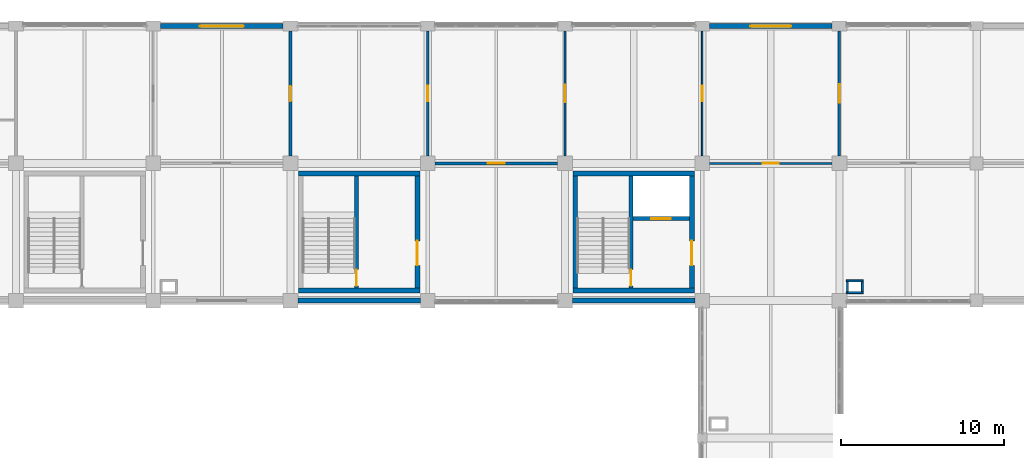
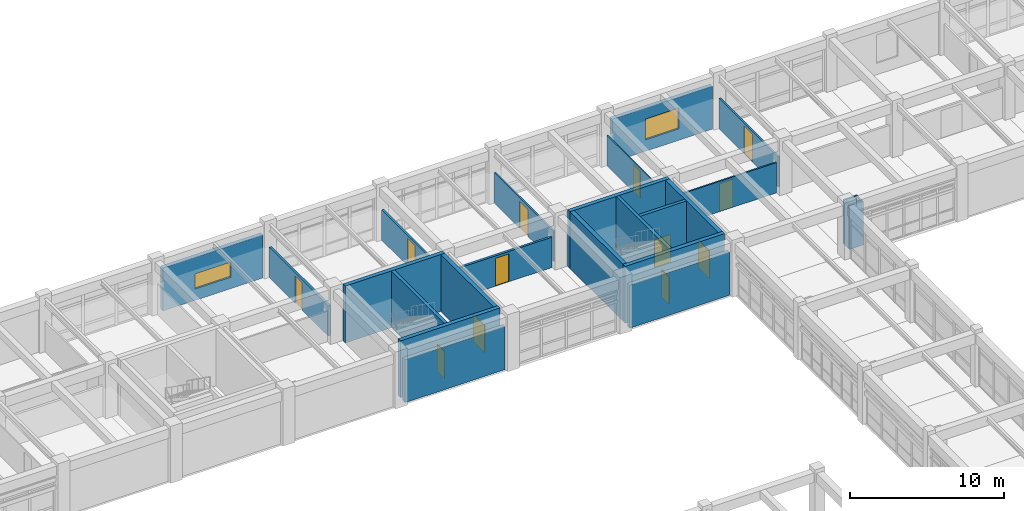
# One storey, part 89 of 99: 25 walls, 12 doors, 2 windows, 14 openings.
"""IFC4 building model written with IfcOpenShell, lengths in metres."""

from ifc_helpers import new_model, si_unit, direction, frame, frame_2d, origin, place, context, subcontext, project, spatial, rectangle, extrude, material, layer, layer_set, type_object, element, fill, save


model = new_model("IFC4")

# Units and contexts
model_context = context("Model", 3, precision=1e-05, world=origin(), true_north=direction((0.0, 1.0)))
body_context = subcontext(model_context, "Body", "Model", "MODEL_VIEW")
ifc_project = project(units=[si_unit("LENGTHUNIT", "METRE"), si_unit("AREAUNIT", "SQUARE_METRE"), si_unit("VOLUMEUNIT", "CUBIC_METRE"), si_unit("PLANEANGLEUNIT", "RADIAN"), si_unit("MASSUNIT", "GRAM", prefix="KILO")], contexts=[model_context])

# Site, building, storey
site_placement = place(None, origin())
site = spatial("IfcSite", under=ifc_project, at=site_placement, CompositionType="ELEMENT")
building_placement = place(site_placement, origin())
building = spatial("IfcBuilding", under=site, at=building_placement, Name="Porcellanite Civic Hall", CompositionType="ELEMENT")
storey_placement = place(building_placement, frame((0.0, 0.0, 5.760009765625)))
storey = spatial("IfcBuildingStorey", under=building, at=storey_placement, Name="L01", CompositionType="ELEMENT", Elevation=5.760009765625)

# Wall, opening, door
ifc_material_1 = material(Name="Concrete N40 (40 MPa)", Category="concrete")
ifc_layer_1 = layer(ifc_material_1, 0.239990234375)
ifc_layer_set_1 = layer_set([ifc_layer_1], Name="Concrete N40 (40 MPa)")
wall_type_1 = type_object("IfcWallType", Name="CW-SH240", PredefinedType="SHEAR", material=ifc_layer_set_1)
wall_1_placement = place(storey_placement, frame((113.239990234375, 101.580078125, 0.0), z_axis=(0.0, 0.0, 1.0), x_axis=(0.0, 1.0, 0.0)))
wall_1 = element("IfcWall", 1, at=wall_1_placement, inside=storey, type_object=wall_type_1, Name="Core divider C4 L01", PredefinedType="SHEAR", context=body_context, shape_type="SweptSolid", body=[
    extrude(rectangle(XDim=6.83984375, YDim=0.239990234375, at=frame_2d((3.419921875, 0.0))), origin(), (0.0, 0.0, 1.0), 4.5),
])
opening_1_placement = place(wall_1_placement, frame((0.1201171875, 0.0, 0.0)))
opening_1 = element("IfcOpeningElement", 2, at=opening_1_placement, cuts=wall_1, Name="Opening FD-C4-L01-ST", PredefinedType="OPENING", context=body_context, shape_type="SweptSolid", body=[
    extrude(rectangle(XDim=1.0, YDim=2.14990234375, at=frame_2d((0.5, 1.074951171875))), frame((0.0, 0.1201171875, 0.0), z_axis=(0.0, -1.0, 0.0), x_axis=(1.0, 0.0, 0.0)), (0.0, 0.0, 1.0), 0.239990234375),
])
ifc_material_2 = material(Name="Fire-rated solid-core hardwood timber", Category="wood")
door_type_1 = type_object("IfcDoorType", Name="DR-FD100", OperationType="NOTDEFINED", PredefinedType="DOOR", material=ifc_material_2)
door_1_placement = place(opening_1_placement, origin())
door_1 = element("IfcDoor", 3, at=door_1_placement, inside=storey, type_object=door_type_1, Name="Fire stair door FD-C4-L01-ST", OperationType="SINGLE_SWING_LEFT", OverallHeight=2.14990234375, OverallWidth=1.0, PredefinedType="DOOR", context=body_context, shape_type="SweptSolid", body=[
    extrude(rectangle(XDim=1.0, YDim=2.14990234375, at=frame_2d((0.5, 1.074951171875))), frame((0.0, 0.02490234375, 0.0), z_axis=(0.0, -1.0, 0.0), x_axis=(1.0, 0.0, 0.0)), (0.0, 0.0, 1.0), 0.050048828125),
])
fill(opening_1, door_1)

wall_2_placement = place(storey_placement, frame((113.360107421875, 105.820068359375, 0.0), z_axis=(0.0, 0.0, 1.0), x_axis=(1.0, 0.0, 0.0)))
wall_2 = element("IfcWall", 4, at=wall_2_placement, inside=storey, type_object=wall_type_1, Name="Lift shaft wall C4 L01", PredefinedType="SHEAR", context=body_context, shape_type="SweptSolid", body=[
    extrude(rectangle(XDim=3.4599609375, YDim=0.239990234375, at=frame_2d((1.72998046875, 0.0))), origin(), (0.0, 0.0, 1.0), 4.5),
])
opening_2_placement = place(wall_2_placement, frame((1.1298828125, 0.0, 0.0)))
opening_2 = element("IfcOpeningElement", 5, at=opening_2_placement, cuts=wall_2, Name="Opening LD-02", PredefinedType="OPENING", context=body_context, shape_type="SweptSolid", body=[
    extrude(rectangle(XDim=1.199951171875, YDim=2.199951171875, at=frame_2d((0.60009765625, 1.10009765625))), frame((0.0, 0.1201171875, 0.0), z_axis=(0.0, -1.0, 0.0), x_axis=(1.0, 0.0, 0.0)), (0.0, 0.0, 1.0), 0.239990234375),
])
ifc_material_3 = material(Name="Brushed stainless steel 316", Category="steel")
door_type_2 = type_object("IfcDoorType", Name="DR-LD120", OperationType="DOUBLE_DOOR_SLIDING", PredefinedType="DOOR", material=ifc_material_3)
door_2_placement = place(opening_2_placement, origin())
door_2 = element("IfcDoor", 6, at=door_2_placement, inside=storey, type_object=door_type_2, Name="Lift landing sliding door LD-02 L01", OperationType="DOUBLE_DOOR_SLIDING", OverallHeight=2.199951171875, OverallWidth=1.199951171875, PredefinedType="DOOR", context=body_context, shape_type="SweptSolid", body=[
    extrude(rectangle(XDim=1.199951171875, YDim=2.199951171875, at=frame_2d((0.60009765625, 1.10009765625))), frame((0.0, 0.02490234375, 0.0), z_axis=(0.0, -1.0, 0.0), x_axis=(1.0, 0.0, 0.0)), (0.0, 0.0, 1.0), 0.050048828125),
])
fill(opening_2, door_2)

wall_3_placement = place(storey_placement, frame((96.43994140625, 101.580078125, 0.0), z_axis=(0.0, 0.0, 1.0), x_axis=(0.0, 1.0, 0.0)))
wall_3 = element("IfcWall", 7, at=wall_3_placement, inside=storey, type_object=wall_type_1, Name="Core divider S10 L01", PredefinedType="SHEAR", context=body_context, shape_type="SweptSolid", body=[
    extrude(rectangle(XDim=6.83984375, YDim=0.239990234375, at=frame_2d((3.419921875, 0.0))), origin(), (0.0, 0.0, 1.0), 4.5),
])
opening_3_placement = place(wall_3_placement, frame((0.1201171875, 0.0, 0.0)))
opening_3 = element("IfcOpeningElement", 8, at=opening_3_placement, cuts=wall_3, Name="Opening FD-S10-L01-ST", PredefinedType="OPENING", context=body_context, shape_type="SweptSolid", body=[
    extrude(rectangle(XDim=1.0, YDim=2.14990234375, at=frame_2d((0.5, 1.074951171875))), frame((0.0, 0.1201171875, 0.0), z_axis=(0.0, -1.0, 0.0), x_axis=(1.0, 0.0, 0.0)), (0.0, 0.0, 1.0), 0.239990234375),
])
door_3_placement = place(opening_3_placement, origin())
door_3 = element("IfcDoor", 9, at=door_3_placement, inside=storey, type_object=door_type_1, Name="Fire stair door FD-S10-L01-ST", OperationType="SINGLE_SWING_LEFT", OverallHeight=2.14990234375, OverallWidth=1.0, PredefinedType="DOOR", context=body_context, shape_type="SweptSolid", body=[
    extrude(rectangle(XDim=1.0, YDim=2.14990234375, at=frame_2d((0.5, 1.074951171875))), frame((0.0, 0.02490234375, 0.0), z_axis=(0.0, -1.0, 0.0), x_axis=(1.0, 0.0, 0.0)), (0.0, 0.0, 1.0), 0.050048828125),
])
fill(opening_3, door_3)

# Walls
ifc_material_4 = material(Name="Concrete N40 (40 MPa)", Category="concrete")
ifc_layer_2 = layer(ifc_material_4, 0.300048828125)
ifc_layer_set_2 = layer_set([ifc_layer_2], Name="Concrete N40 (40 MPa)")
wall_type_2 = type_object("IfcWallType", Name="CW-SH300", PredefinedType="SHEAR", material=ifc_layer_set_2)
wall_4_placement = place(storey_placement, frame((117.1201171875, 101.429931640625, 0.0), z_axis=(0.0, 0.0, 1.0), x_axis=(-1.0, 0.0, 0.0)))
element("IfcWall", 10, at=wall_4_placement, inside=storey, type_object=wall_type_2, Name="Core wall C4 L01 S", PredefinedType="SHEAR", context=body_context, shape_type="SweptSolid", body=[
    extrude(rectangle(XDim=7.440185546875, YDim=0.300048828125, at=frame_2d((3.72021484375, 0.0))), origin(), (0.0, 0.0, 1.0), 4.5),
])
wall_5_placement = place(storey_placement, frame((109.830078125, 101.580078125, 0.0), z_axis=(0.0, 0.0, 1.0), x_axis=(0.0, 1.0, 0.0)))
element("IfcWall", 11, at=wall_5_placement, inside=storey, type_object=wall_type_2, Name="Core wall C4 L01 W", PredefinedType="SHEAR", context=body_context, shape_type="SweptSolid", body=[
    extrude(rectangle(XDim=6.83984375, YDim=0.300048828125, at=frame_2d((3.419921875, 0.0))), origin(), (0.0, 0.0, 1.0), 4.5),
])
wall_6_placement = place(storey_placement, frame((109.679931640625, 108.570068359375, 0.0), z_axis=(0.0, 0.0, 1.0), x_axis=(1.0, 0.0, 0.0)))
element("IfcWall", 12, at=wall_6_placement, inside=storey, type_object=wall_type_2, Name="Core wall C4 L01 N", PredefinedType="SHEAR", context=body_context, shape_type="SweptSolid", body=[
    extrude(rectangle(XDim=7.440185546875, YDim=0.300048828125, at=frame_2d((3.72021484375, 0.0))), origin(), (0.0, 0.0, 1.0), 4.5),
])

# Wall, opening, door
wall_7_placement = place(storey_placement, frame((116.969970703125, 108.419921875, 0.0), z_axis=(0.0, 0.0, 1.0), x_axis=(0.0, -1.0, 0.0)))
wall_7 = element("IfcWall", 13, at=wall_7_placement, inside=storey, type_object=wall_type_2, Name="Core wall C4 L01 E", PredefinedType="SHEAR", context=body_context, shape_type="SweptSolid", body=[
    extrude(rectangle(XDim=6.83984375, YDim=0.300048828125, at=frame_2d((3.419921875, 0.0))), origin(), (0.0, 0.0, 1.0), 4.5),
])
opening_4_placement = place(wall_7_placement, frame((3.969970703125, 0.0, 0.0)))
opening_4 = element("IfcOpeningElement", 14, at=opening_4_placement, cuts=wall_7, Name="Opening FD-C4-L01-LB", PredefinedType="OPENING", context=body_context, shape_type="SweptSolid", body=[
    extrude(rectangle(XDim=1.5, YDim=2.14990234375, at=frame_2d((0.75, 1.074951171875))), frame((0.0, 0.14990234375, 0.0), z_axis=(0.0, -1.0, 0.0), x_axis=(1.0, 0.0, 0.0)), (0.0, 0.0, 1.0), 0.300048828125),
])
ifc_material_5 = material(Name="Fire-rated steel and Georgian wired glass", Category="steel")
door_type_3 = type_object("IfcDoorType", Name="DR-FD150", OperationType="DOUBLE_DOOR_SINGLE_SWING", PredefinedType="DOOR", material=ifc_material_5)
door_4_placement = place(opening_4_placement, origin())
door_4 = element("IfcDoor", 15, at=door_4_placement, inside=storey, type_object=door_type_3, Name="Fire lobby double door FD-C4-L01-LB", OperationType="DOUBLE_DOOR_SINGLE_SWING", OverallHeight=2.14990234375, OverallWidth=1.5, PredefinedType="DOOR", context=body_context, shape_type="SweptSolid", body=[
    extrude(rectangle(XDim=1.5, YDim=2.14990234375, at=frame_2d((0.75, 1.074951171875))), frame((0.0, 0.02490234375, 0.0), z_axis=(0.0, -1.0, 0.0), x_axis=(1.0, 0.0, 0.0)), (0.0, 0.0, 1.0), 0.050048828125),
])
fill(opening_4, door_4)

# Walls
for number, where, z_axis, x_axis, name in (
    (16, (100.320068359375, 101.429931640625, 0.0), (0.0, 0.0, 1.0), (-1.0, 0.0, 0.0), "Core wall S10 L01 S"),
    (17, (92.8798828125, 108.570068359375, 0.0), (0.0, 0.0, 1.0), (1.0, 0.0, 0.0), "Core wall S10 L01 N"),
):
    element("IfcWall", number, at=place(storey_placement, frame(where, z_axis=z_axis, x_axis=x_axis)), inside=storey, type_object=wall_type_2, Name=name, PredefinedType="SHEAR", context=body_context, shape_type="SweptSolid", body=[
        extrude(rectangle(XDim=7.440185546875, YDim=0.300048828125, at=frame_2d((3.72021484375, 0.0))), origin(), (0.0, 0.0, 1.0), 4.5),
    ])

# Wall, opening, door
wall_8_placement = place(storey_placement, frame((100.169921875, 108.419921875, 0.0), z_axis=(0.0, 0.0, 1.0), x_axis=(0.0, -1.0, 0.0)))
wall_8 = element("IfcWall", 18, at=wall_8_placement, inside=storey, type_object=wall_type_2, Name="Core wall S10 L01 E", PredefinedType="SHEAR", context=body_context, shape_type="SweptSolid", body=[
    extrude(rectangle(XDim=6.83984375, YDim=0.300048828125, at=frame_2d((3.419921875, 0.0))), origin(), (0.0, 0.0, 1.0), 4.5),
])
opening_5_placement = place(wall_8_placement, frame((3.969970703125, 0.0, 0.0)))
opening_5 = element("IfcOpeningElement", 19, at=opening_5_placement, cuts=wall_8, Name="Opening FD-S10-L01-LB", PredefinedType="OPENING", context=body_context, shape_type="SweptSolid", body=[
    extrude(rectangle(XDim=1.5, YDim=2.14990234375, at=frame_2d((0.75, 1.074951171875))), frame((0.0, 0.14990234375, 0.0), z_axis=(0.0, -1.0, 0.0), x_axis=(1.0, 0.0, 0.0)), (0.0, 0.0, 1.0), 0.300048828125),
])
door_5_placement = place(opening_5_placement, origin())
door_5 = element("IfcDoor", 20, at=door_5_placement, inside=storey, type_object=door_type_3, Name="Fire lobby double door FD-S10-L01-LB", OperationType="DOUBLE_DOOR_SINGLE_SWING", OverallHeight=2.14990234375, OverallWidth=1.5, PredefinedType="DOOR", context=body_context, shape_type="SweptSolid", body=[
    extrude(rectangle(XDim=1.5, YDim=2.14990234375, at=frame_2d((0.75, 1.074951171875))), frame((0.0, 0.02490234375, 0.0), z_axis=(0.0, -1.0, 0.0), x_axis=(1.0, 0.0, 0.0)), (0.0, 0.0, 1.0), 0.050048828125),
])
fill(opening_5, door_5)

# Wall, opening, window
ifc_material_6 = material(Name="Precast concrete N40 (40 MPa)", Category="concrete")
ifc_layer_3 = layer(ifc_material_6, 0.300048828125)
ifc_layer_set_3 = layer_set([ifc_layer_3], Name="Precast concrete N40 (40 MPa)")
wall_type_3 = type_object("IfcWallType", Name="EW-ADM300", PredefinedType="SOLIDWALL", material=ifc_layer_set_3)
wall_9_placement = place(storey_placement, frame((84.450927734375, 117.60009765625, 0.0), z_axis=(0.0, 0.0, 1.0), x_axis=(1.0, 0.0, 0.0)))
wall_9 = element("IfcWall", 21, at=wall_9_placement, inside=storey, type_object=wall_type_3, Name="Exterior wall L01 N 11-14", PredefinedType="SOLIDWALL", context=body_context, shape_type="SweptSolid", body=[
    extrude(rectangle(XDim=7.498046875, YDim=0.300048828125, at=frame_2d((3.7490234375, 0.0))), origin(), (0.0, 0.0, 1.0), 3.39990234375),
])
opening_6_placement = place(wall_9_placement, frame((2.39892578125, 0.0, 0.89990234375)))
opening_6 = element("IfcOpeningElement", 22, at=opening_6_placement, cuts=wall_9, Name="Opening W10", PredefinedType="OPENING", context=body_context, shape_type="SweptSolid", body=[
    extrude(rectangle(XDim=2.699951171875, YDim=1.199951171875, at=frame_2d((1.35009765625, 0.60009765625))), frame((0.0, 0.14990234375, 0.0), z_axis=(0.0, -1.0, 0.0), x_axis=(1.0, 0.0, 0.0)), (0.0, 0.0, 1.0), 0.300048828125),
])
ifc_material_7 = material(Name="Cyclone laminated low-E glazing in anodised aluminium frame", Category="aluminium")
window_type_1 = type_object("IfcWindowType", Name="WN-10", PartitioningType="DOUBLE_PANEL_HORIZONTAL", PredefinedType="WINDOW", material=ifc_material_7)
window_1_placement = place(opening_6_placement, origin())
window_1 = element("IfcWindow", 23, at=window_1_placement, inside=storey, type_object=window_type_1, Name="Window W10 L01 N 11-14", OverallHeight=1.199951171875, OverallWidth=2.699951171875, PartitioningType="SINGLE_PANEL", PredefinedType="WINDOW", context=body_context, shape_type="SweptSolid", body=[
    extrude(rectangle(XDim=2.699951171875, YDim=1.199951171875, at=frame_2d((1.35009765625, 0.60009765625))), frame((0.0, 0.030029296875, 0.0), z_axis=(0.0, -1.0, 0.0), x_axis=(1.0, 0.0, 0.0)), (0.0, 0.0, 1.0), 0.06005859375),
])
fill(opening_6, window_1)

# Walls
for number, where, z_axis, x_axis, name in (
    (24, (100.34912109375, 100.800048828125, 0.0), (0.0, 0.0, 1.0), (-1.0, 0.0, 0.0), "Exterior wall L01 S 12-13"),
    (25, (117.14892578125, 100.800048828125, 0.0), (0.0, 0.0, 1.0), (-1.0, 0.0, 0.0), "Exterior wall L01 S 14-13"),
):
    element("IfcWall", number, at=place(storey_placement, frame(where, z_axis=z_axis, x_axis=x_axis)), inside=storey, type_object=wall_type_3, Name=name, PredefinedType="SOLIDWALL", context=body_context, shape_type="SweptSolid", body=[
        extrude(rectangle(XDim=7.498046875, YDim=0.300048828125, at=frame_2d((3.7490234375, 0.0))), origin(), (0.0, 0.0, 1.0), 3.39990234375),
    ])

# Wall, opening, window
wall_10_placement = place(storey_placement, frame((118.051025390625, 117.60009765625, 0.0), z_axis=(0.0, 0.0, 1.0), x_axis=(1.0, 0.0, 0.0)))
wall_10 = element("IfcWall", 26, at=wall_10_placement, inside=storey, type_object=wall_type_3, Name="Exterior wall L01 N 15-14", PredefinedType="SOLIDWALL", context=body_context, shape_type="SweptSolid", body=[
    extrude(rectangle(XDim=7.498046875, YDim=0.300048828125, at=frame_2d((3.7490234375, 0.0))), origin(), (0.0, 0.0, 1.0), 3.39990234375),
])
opening_7_placement = place(wall_10_placement, frame((2.4990234375, 0.0, 0.89990234375)))
opening_7 = element("IfcOpeningElement", 27, at=opening_7_placement, cuts=wall_10, Name="Opening W18", PredefinedType="OPENING", context=body_context, shape_type="SweptSolid", body=[
    extrude(rectangle(XDim=2.5, YDim=1.64990234375, at=frame_2d((1.25, 0.824951171875))), frame((0.0, 0.14990234375, 0.0), z_axis=(0.0, -1.0, 0.0), x_axis=(1.0, 0.0, 0.0)), (0.0, 0.0, 1.0), 0.300048828125),
])
ifc_material_8 = material(Name="Cyclone laminated low-E glazing in anodised aluminium frame", Category="aluminium")
window_type_2 = type_object("IfcWindowType", Name="WN-18", PartitioningType="DOUBLE_PANEL_VERTICAL", PredefinedType="WINDOW", material=ifc_material_8)
window_2_placement = place(opening_7_placement, origin())
window_2 = element("IfcWindow", 28, at=window_2_placement, inside=storey, type_object=window_type_2, Name="Window W18 L01 N 15-14", OverallHeight=1.64990234375, OverallWidth=2.5, PartitioningType="SINGLE_PANEL", PredefinedType="WINDOW", context=body_context, shape_type="SweptSolid", body=[
    extrude(rectangle(XDim=2.5, YDim=1.64990234375, at=frame_2d((1.25, 0.824951171875))), frame((0.0, 0.030029296875, 0.0), z_axis=(0.0, -1.0, 0.0), x_axis=(1.0, 0.0, 0.0)), (0.0, 0.0, 1.0), 0.06005859375),
])
fill(opening_7, window_2)

# Walls
ifc_material_9 = material(Name="Fire-rated shaftwall plasterboard on steel studs", Category="steel")
ifc_layer_4 = layer(ifc_material_9, 0.117919921875)
ifc_layer_set_4 = layer_set([ifc_layer_4], Name="Fire-rated shaftwall plasterboard on steel studs")
wall_type_4 = type_object("IfcWallType", Name="IW-FR118", PredefinedType="PARTITIONING", material=ifc_layer_set_4)
for number, where, z_axis, x_axis, name in (
    (29, (126.431884765625, 101.291015625, 0.0), (0.0, 0.0, 1.0), (1.0, 0.0, 0.0), "Fire riser shaftwall S L01 15-12"),
    (30, (126.431884765625, 102.009033203125, 0.0), (0.0, 0.0, 1.0), (1.0, 0.0, 0.0), "Fire riser shaftwall N L01 15-12"),
):
    element("IfcWall", number, at=place(storey_placement, frame(where, z_axis=z_axis, x_axis=x_axis)), inside=storey, type_object=wall_type_4, Name=name, PredefinedType="PARTITIONING", context=body_context, shape_type="SweptSolid", body=[
        extrude(rectangle(XDim=1.0361328125, YDim=0.117919921875, at=frame_2d((0.51806640625, 0.0))), origin(), (0.0, 0.0, 1.0), 3.47998046875),
    ])
for number, where, z_axis, x_axis, name in (
    (31, (126.490966796875, 101.35009765625, 0.0), (0.0, 0.0, 1.0), (0.0, 1.0, 0.0), "Fire riser shaftwall W L01 15-12"),
    (32, (127.408935546875, 101.35009765625, 0.0), (0.0, 0.0, 1.0), (0.0, 1.0, 0.0), "Fire riser shaftwall E L01 15-12"),
):
    element("IfcWall", number, at=place(storey_placement, frame(where, z_axis=z_axis, x_axis=x_axis)), inside=storey, type_object=wall_type_4, Name=name, PredefinedType="PARTITIONING", context=body_context, shape_type="SweptSolid", body=[
        extrude(rectangle(XDim=0.599853515625, YDim=0.117919921875, at=frame_2d((0.2998046875, 0.0))), origin(), (0.0, 0.0, 1.0), 3.47998046875),
    ])

# Wall, opening, door
ifc_material_10 = material(Name="Fire-rated plasterboard on light-gauge steel studs", Category="steel")
ifc_layer_5 = layer(ifc_material_10, 0.14794921875)
ifc_layer_set_5 = layer_set([ifc_layer_5], Name="Fire-rated plasterboard on light-gauge steel studs")
wall_type_5 = type_object("IfcWallType", Name="IW-FR148", PredefinedType="PARTITIONING", material=ifc_layer_set_5)
wall_11_placement = place(storey_placement, frame((126.0, 109.652099609375, 0.0), z_axis=(0.0, 0.0, 1.0), x_axis=(0.0, 1.0, 0.0)))
wall_11 = element("IfcWall", 33, at=wall_11_placement, inside=storey, type_object=wall_type_5, Name="Fire compartment wall L01 V 15-14", PredefinedType="PARTITIONING", context=body_context, shape_type="SweptSolid", body=[
    extrude(rectangle(XDim=7.64599609375, YDim=0.14794921875, at=frame_2d((3.822998046875, 0.0))), origin(), (0.0, 0.0, 1.0), 2.39990234375),
])
opening_8_placement = place(wall_11_placement, frame((3.248046875, 0.0, 0.0)))
opening_8 = element("IfcOpeningElement", 34, at=opening_8_placement, cuts=wall_11, Name="Opening D-L01-267", PredefinedType="OPENING", context=body_context, shape_type="SweptSolid", body=[
    extrude(rectangle(XDim=1.14990234375, YDim=2.199951171875, at=frame_2d((0.574951171875, 1.10009765625))), frame((0.0, 0.073974609375, 0.0), z_axis=(0.0, -1.0, 0.0), x_axis=(1.0, 0.0, 0.0)), (0.0, 0.0, 1.0), 0.14794921875),
])
ifc_material_11 = material(Name="Fire-rated solid-core hardwood timber", Category="wood")
door_type_4 = type_object("IfcDoorType", Name="DR-FD115", OperationType="NOTDEFINED", PredefinedType="DOOR", material=ifc_material_11)
door_6_placement = place(opening_8_placement, origin())
door_6 = element("IfcDoor", 35, at=door_6_placement, inside=storey, type_object=door_type_4, Name="Interior door D-L01-267", OperationType="SINGLE_SWING_LEFT", OverallHeight=2.199951171875, OverallWidth=1.14990234375, PredefinedType="DOOR", context=body_context, shape_type="SweptSolid", body=[
    extrude(rectangle(XDim=1.14990234375, YDim=2.199951171875, at=frame_2d((0.574951171875, 1.10009765625))), frame((0.0, 0.02490234375, 0.0), z_axis=(0.0, -1.0, 0.0), x_axis=(1.0, 0.0, 0.0)), (0.0, 0.0, 1.0), 0.050048828125),
])
fill(opening_8, door_6)

ifc_material_12 = material(Name="Insulated acoustic plasterboard on light-gauge steel studs", Category="steel")
ifc_layer_6 = layer(ifc_material_12, 0.094970703125)
ifc_layer_set_6 = layer_set([ifc_layer_6], Name="Insulated acoustic plasterboard on light-gauge steel studs")
wall_type_6 = type_object("IfcWallType", Name="IW-PT095", PredefinedType="PARTITIONING", material=ifc_layer_set_6)
wall_12_placement = place(storey_placement, frame((117.60009765625, 109.652099609375, 0.0), z_axis=(0.0, 0.0, 1.0), x_axis=(0.0, 1.0, 0.0)))
wall_12 = element("IfcWall", 36, at=wall_12_placement, inside=storey, type_object=wall_type_6, Name="Partition L01 V 14-14", PredefinedType="PARTITIONING", context=body_context, shape_type="SweptSolid", body=[
    extrude(rectangle(XDim=7.64599609375, YDim=0.094970703125, at=frame_2d((3.822998046875, 0.0))), origin(), (0.0, 0.0, 1.0), 2.39990234375),
])
opening_9_placement = place(wall_12_placement, frame((3.35302734375, 0.0, 0.0)))
opening_9 = element("IfcOpeningElement", 37, at=opening_9_placement, cuts=wall_12, Name="Opening D-L01-293", PredefinedType="OPENING", context=body_context, shape_type="SweptSolid", body=[
    extrude(rectangle(XDim=0.93994140625, YDim=2.14990234375, at=frame_2d((0.469970703125, 1.074951171875))), frame((0.0, 0.04736328125, 0.0), z_axis=(0.0, -1.0, 0.0), x_axis=(1.0, 0.0, 0.0)), (0.0, 0.0, 1.0), 0.094970703125),
])
ifc_material_13 = material(Name="Solid-core spotted-gum timber", Category="wood")
door_type_5 = type_object("IfcDoorType", Name="DR-RM094", OperationType="NOTDEFINED", PredefinedType="DOOR", material=ifc_material_13)
door_7_placement = place(opening_9_placement, origin())
door_7 = element("IfcDoor", 38, at=door_7_placement, inside=storey, type_object=door_type_5, Name="Interior door D-L01-293", OperationType="SINGLE_SWING_LEFT", OverallHeight=2.14990234375, OverallWidth=0.93994140625, PredefinedType="DOOR", context=body_context, shape_type="SweptSolid", body=[
    extrude(rectangle(XDim=0.93994140625, YDim=2.14990234375, at=frame_2d((0.469970703125, 1.074951171875))), frame((0.0, 0.02490234375, 0.0), z_axis=(0.0, -1.0, 0.0), x_axis=(1.0, 0.0, 0.0)), (0.0, 0.0, 1.0), 0.050048828125),
])
fill(opening_9, door_7)

ifc_material_14 = material(Name="Insulated acoustic plasterboard on light-gauge steel studs", Category="steel")
ifc_layer_7 = layer(ifc_material_14, 0.114990234375)
ifc_layer_set_7 = layer_set([ifc_layer_7], Name="Insulated acoustic plasterboard on light-gauge steel studs")
wall_type_7 = type_object("IfcWallType", Name="IW-PT115", PredefinedType="PARTITIONING", material=ifc_layer_set_7)
wall_13_placement = place(storey_placement, frame((118.052001953125, 109.199951171875, 0.0), z_axis=(0.0, 0.0, 1.0), x_axis=(1.0, 0.0, 0.0)))
wall_13 = element("IfcWall", 39, at=wall_13_placement, inside=storey, type_object=wall_type_7, Name="Partition L01 H 15-13", PredefinedType="PARTITIONING", context=body_context, shape_type="SweptSolid", body=[
    extrude(rectangle(XDim=7.49609375, YDim=0.114990234375, at=frame_2d((3.748046875, 0.0))), origin(), (0.0, 0.0, 1.0), 2.39990234375),
])
opening_10_placement = place(wall_13_placement, frame((3.248046875, 0.0, 0.0)))
opening_10 = element("IfcOpeningElement", 40, at=opening_10_placement, cuts=wall_13, Name="Opening D-L01-199", PredefinedType="OPENING", context=body_context, shape_type="SweptSolid", body=[
    extrude(rectangle(XDim=1.0, YDim=2.199951171875, at=frame_2d((0.5, 1.10009765625))), frame((0.0, 0.0576171875, 0.0), z_axis=(0.0, -1.0, 0.0), x_axis=(1.0, 0.0, 0.0)), (0.0, 0.0, 1.0), 0.114990234375),
])
ifc_material_15 = material(Name="Solid-core spotted-gum timber", Category="wood")
door_type_6 = type_object("IfcDoorType", Name="DR-RM100", OperationType="NOTDEFINED", PredefinedType="DOOR", material=ifc_material_15)
door_8_placement = place(opening_10_placement, origin())
door_8 = element("IfcDoor", 41, at=door_8_placement, inside=storey, type_object=door_type_6, Name="Interior door D-L01-199", OperationType="SINGLE_SWING_RIGHT", OverallHeight=2.199951171875, OverallWidth=1.0, PredefinedType="DOOR", context=body_context, shape_type="SweptSolid", body=[
    extrude(rectangle(XDim=1.0, YDim=2.199951171875, at=frame_2d((0.5, 1.10009765625))), frame((0.0, 0.02490234375, 0.0), z_axis=(0.0, -1.0, 0.0), x_axis=(1.0, 0.0, 0.0)), (0.0, 0.0, 1.0), 0.050048828125),
])
fill(opening_10, door_8)

ifc_material_16 = material(Name="Insulated acoustic plasterboard on light-gauge steel studs", Category="steel")
ifc_layer_8 = layer(ifc_material_16, 0.125)
ifc_layer_set_8 = layer_set([ifc_layer_8], Name="Insulated acoustic plasterboard on light-gauge steel studs")
wall_type_8 = type_object("IfcWallType", Name="IW-PT125", PredefinedType="PARTITIONING", material=ifc_layer_set_8)
wall_14_placement = place(storey_placement, frame((109.199951171875, 109.652099609375, 0.0), z_axis=(0.0, 0.0, 1.0), x_axis=(0.0, 1.0, 0.0)))
wall_14 = element("IfcWall", 42, at=wall_14_placement, inside=storey, type_object=wall_type_8, Name="Partition L01 V 13-14", PredefinedType="PARTITIONING", context=body_context, shape_type="SweptSolid", body=[
    extrude(rectangle(XDim=7.64599609375, YDim=0.125, at=frame_2d((3.822998046875, 0.0))), origin(), (0.0, 0.0, 1.0), 2.39990234375),
])
opening_11_placement = place(wall_14_placement, frame((3.298095703125, 0.0, 0.0)))
opening_11 = element("IfcOpeningElement", 43, at=opening_11_placement, cuts=wall_14, Name="Opening D-L01-256", PredefinedType="OPENING", context=body_context, shape_type="SweptSolid", body=[
    extrude(rectangle(XDim=1.050048828125, YDim=2.1201171875, at=frame_2d((0.52490234375, 1.06005859375))), frame((0.0, 0.0625, 0.0), z_axis=(0.0, -1.0, 0.0), x_axis=(1.0, 0.0, 0.0)), (0.0, 0.0, 1.0), 0.125),
])
ifc_material_17 = material(Name="Solid-core spotted-gum timber", Category="wood")
door_type_7 = type_object("IfcDoorType", Name="DR-RM105", OperationType="NOTDEFINED", PredefinedType="DOOR", material=ifc_material_17)
door_9_placement = place(opening_11_placement, origin())
door_9 = element("IfcDoor", 44, at=door_9_placement, inside=storey, type_object=door_type_7, Name="Interior door D-L01-256", OperationType="SINGLE_SWING_RIGHT", OverallHeight=2.1201171875, OverallWidth=1.050048828125, PredefinedType="DOOR", context=body_context, shape_type="SweptSolid", body=[
    extrude(rectangle(XDim=1.050048828125, YDim=2.1201171875, at=frame_2d((0.52490234375, 1.06005859375))), frame((0.0, 0.02490234375, 0.0), z_axis=(0.0, -1.0, 0.0), x_axis=(1.0, 0.0, 0.0)), (0.0, 0.0, 1.0), 0.050048828125),
])
fill(opening_11, door_9)

ifc_material_18 = material(Name="Insulated acoustic plasterboard on light-gauge steel studs", Category="steel")
ifc_layer_9 = layer(ifc_material_18, 0.155029296875)
ifc_layer_set_9 = layer_set([ifc_layer_9], Name="Insulated acoustic plasterboard on light-gauge steel studs")
wall_type_9 = type_object("IfcWallType", Name="IW-PT155", PredefinedType="PARTITIONING", material=ifc_layer_set_9)
wall_15_placement = place(storey_placement, frame((100.800048828125, 109.652099609375, 0.0), z_axis=(0.0, 0.0, 1.0), x_axis=(0.0, 1.0, 0.0)))
wall_15 = element("IfcWall", 45, at=wall_15_placement, inside=storey, type_object=wall_type_9, Name="Partition L01 V 12-14", PredefinedType="PARTITIONING", context=body_context, shape_type="SweptSolid", body=[
    extrude(rectangle(XDim=7.64599609375, YDim=0.155029296875, at=frame_2d((3.822998046875, 0.0))), origin(), (0.0, 0.0, 1.0), 2.39990234375),
])
opening_12_placement = place(wall_15_placement, frame((3.343017578125, 0.0, 0.0)))
opening_12 = element("IfcOpeningElement", 46, at=opening_12_placement, cuts=wall_15, Name="Opening D-L01-292", PredefinedType="OPENING", context=body_context, shape_type="SweptSolid", body=[
    extrude(rectangle(XDim=0.9599609375, YDim=2.179931640625, at=frame_2d((0.47998046875, 1.08984375))), frame((0.0, 0.07763671875, 0.0), z_axis=(0.0, -1.0, 0.0), x_axis=(1.0, 0.0, 0.0)), (0.0, 0.0, 1.0), 0.155029296875),
])
ifc_material_19 = material(Name="Solid-core spotted-gum timber", Category="wood")
door_type_8 = type_object("IfcDoorType", Name="DR-RM096", OperationType="NOTDEFINED", PredefinedType="DOOR", material=ifc_material_19)
door_10_placement = place(opening_12_placement, origin())
door_10 = element("IfcDoor", 47, at=door_10_placement, inside=storey, type_object=door_type_8, Name="Interior door D-L01-292", OperationType="SINGLE_SWING_RIGHT", OverallHeight=2.179931640625, OverallWidth=0.9599609375, PredefinedType="DOOR", context=body_context, shape_type="SweptSolid", body=[
    extrude(rectangle(XDim=0.9599609375, YDim=2.179931640625, at=frame_2d((0.47998046875, 1.08984375))), frame((0.0, 0.02490234375, 0.0), z_axis=(0.0, -1.0, 0.0), x_axis=(1.0, 0.0, 0.0)), (0.0, 0.0, 1.0), 0.050048828125),
])
fill(opening_12, door_10)

ifc_material_20 = material(Name="Insulated acoustic plasterboard on light-gauge steel studs", Category="steel")
ifc_layer_10 = layer(ifc_material_20, 0.175048828125)
ifc_layer_set_10 = layer_set([ifc_layer_10], Name="Insulated acoustic plasterboard on light-gauge steel studs")
wall_type_10 = type_object("IfcWallType", Name="IW-PT175", PredefinedType="PARTITIONING", material=ifc_layer_set_10)
wall_16_placement = place(storey_placement, frame((101.251953125, 109.199951171875, 0.0), z_axis=(0.0, 0.0, 1.0), x_axis=(1.0, 0.0, 0.0)))
wall_16 = element("IfcWall", 48, at=wall_16_placement, inside=storey, type_object=wall_type_10, Name="Partition L01 H 13-13", PredefinedType="PARTITIONING", context=body_context, shape_type="SweptSolid", body=[
    extrude(rectangle(XDim=7.49609375, YDim=0.175048828125, at=frame_2d((3.748046875, 0.0))), origin(), (0.0, 0.0, 1.0), 2.39990234375),
])
opening_13_placement = place(wall_16_placement, frame((3.238037109375, 0.0, 0.0)))
opening_13 = element("IfcOpeningElement", 49, at=opening_13_placement, cuts=wall_16, Name="Opening D-L01-198", PredefinedType="OPENING", context=body_context, shape_type="SweptSolid", body=[
    extrude(rectangle(XDim=1.02001953125, YDim=2.199951171875, at=frame_2d((0.510009765625, 1.10009765625))), frame((0.0, 0.08740234375, 0.0), z_axis=(0.0, -1.0, 0.0), x_axis=(1.0, 0.0, 0.0)), (0.0, 0.0, 1.0), 0.175048828125),
])
ifc_material_21 = material(Name="Solid-core spotted-gum timber", Category="wood")
door_type_9 = type_object("IfcDoorType", Name="DR-RM102", OperationType="NOTDEFINED", PredefinedType="DOOR", material=ifc_material_21)
door_11_placement = place(opening_13_placement, origin())
door_11 = element("IfcDoor", 50, at=door_11_placement, inside=storey, type_object=door_type_9, Name="Interior door D-L01-198", OperationType="SINGLE_SWING_LEFT", OverallHeight=2.199951171875, OverallWidth=1.02001953125, PredefinedType="DOOR", context=body_context, shape_type="SweptSolid", body=[
    extrude(rectangle(XDim=1.02001953125, YDim=2.199951171875, at=frame_2d((0.510009765625, 1.10009765625))), frame((0.0, 0.02490234375, 0.0), z_axis=(0.0, -1.0, 0.0), x_axis=(1.0, 0.0, 0.0)), (0.0, 0.0, 1.0), 0.050048828125),
])
fill(opening_13, door_11)

ifc_material_22 = material(Name="Insulated acoustic plasterboard on light-gauge steel studs", Category="steel")
ifc_layer_11 = layer(ifc_material_22, 0.18505859375)
ifc_layer_set_11 = layer_set([ifc_layer_11], Name="Insulated acoustic plasterboard on light-gauge steel studs")
wall_type_11 = type_object("IfcWallType", Name="IW-PT185", PredefinedType="PARTITIONING", material=ifc_layer_set_11)
wall_17_placement = place(storey_placement, frame((92.39990234375, 109.652099609375, 0.0), z_axis=(0.0, 0.0, 1.0), x_axis=(0.0, 1.0, 0.0)))
wall_17 = element("IfcWall", 51, at=wall_17_placement, inside=storey, type_object=wall_type_11, Name="Partition L01 V 11-14", PredefinedType="PARTITIONING", context=body_context, shape_type="SweptSolid", body=[
    extrude(rectangle(XDim=7.64599609375, YDim=0.18505859375, at=frame_2d((3.822998046875, 0.0))), origin(), (0.0, 0.0, 1.0), 2.39990234375),
])
opening_14_placement = place(wall_17_placement, frame((3.363037109375, 0.0, 0.0)))
opening_14 = element("IfcOpeningElement", 52, at=opening_14_placement, cuts=wall_17, Name="Opening D-L01-255", PredefinedType="OPENING", context=body_context, shape_type="SweptSolid", body=[
    extrude(rectangle(XDim=0.919921875, YDim=2.14990234375, at=frame_2d((0.4599609375, 1.074951171875))), frame((0.0, 0.092529296875, 0.0), z_axis=(0.0, -1.0, 0.0), x_axis=(1.0, 0.0, 0.0)), (0.0, 0.0, 1.0), 0.18505859375),
])
ifc_material_23 = material(Name="Solid-core spotted-gum timber", Category="wood")
door_type_10 = type_object("IfcDoorType", Name="DR-RM092", OperationType="NOTDEFINED", PredefinedType="DOOR", material=ifc_material_23)
door_12_placement = place(opening_14_placement, origin())
door_12 = element("IfcDoor", 53, at=door_12_placement, inside=storey, type_object=door_type_10, Name="Interior door D-L01-255", OperationType="SINGLE_SWING_LEFT", OverallHeight=2.14990234375, OverallWidth=0.919921875, PredefinedType="DOOR", context=body_context, shape_type="SweptSolid", body=[
    extrude(rectangle(XDim=0.919921875, YDim=2.14990234375, at=frame_2d((0.4599609375, 1.074951171875))), frame((0.0, 0.02490234375, 0.0), z_axis=(0.0, -1.0, 0.0), x_axis=(1.0, 0.0, 0.0)), (0.0, 0.0, 1.0), 0.050048828125),
])
fill(opening_14, door_12)

save(model, "model.ifc")
